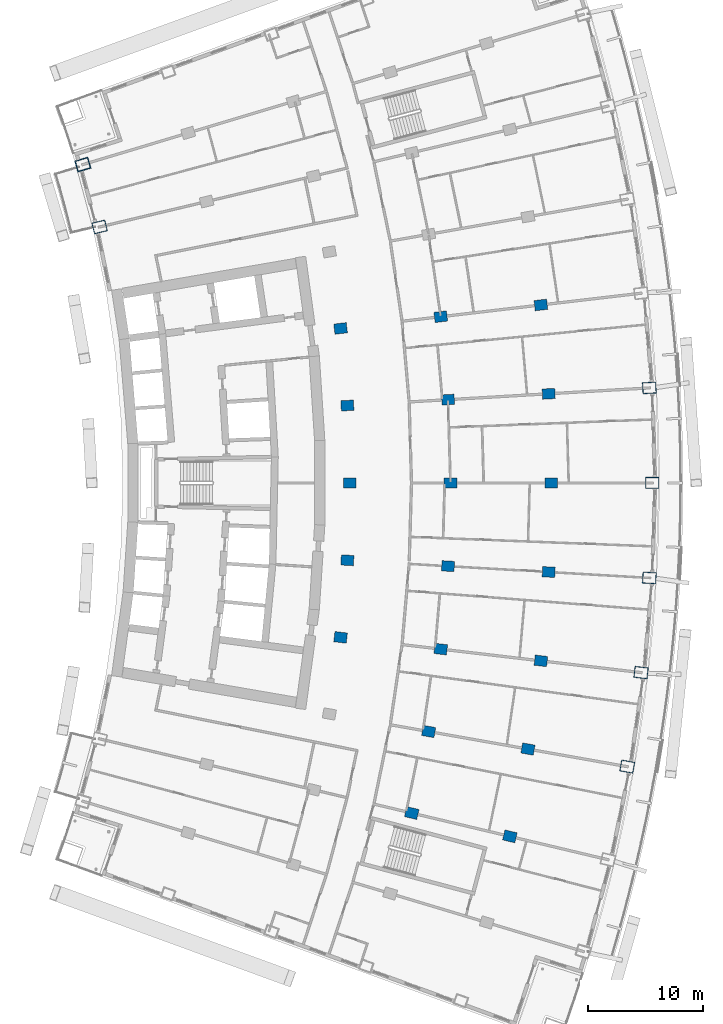
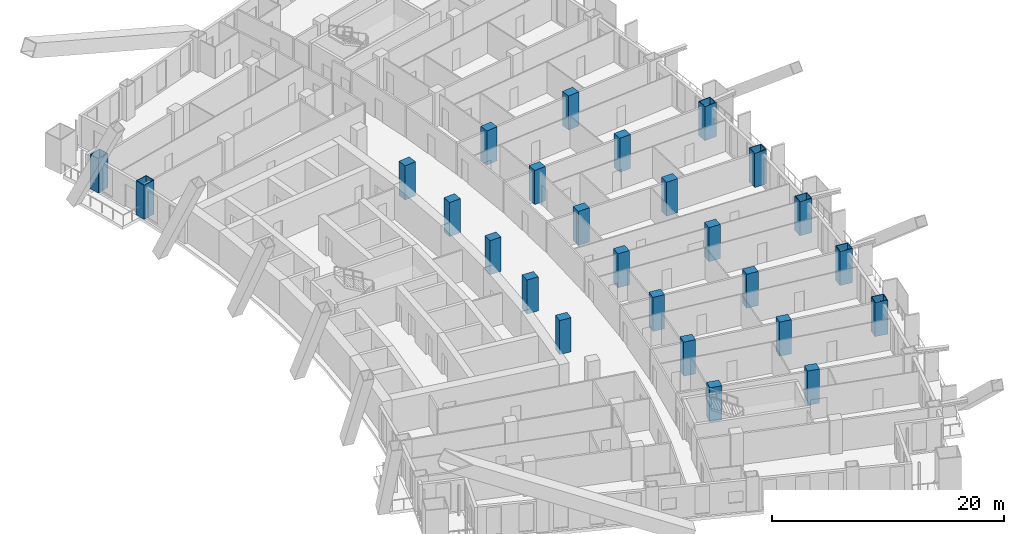
# One storey, part 6 of 25: 26 columns.
"""IFC4 building model written with IfcOpenShell, lengths in metres."""

from ifc_helpers import new_model, si_unit, direction, frame, origin, origin_2d, place, context, subcontext, project, spatial, rectangle, hollow_rectangle, extrude, material, material_profile, profile_set, type_object, element, save


model = new_model("IFC4")

# Units and contexts
model_context = context("Model", 3, precision=1e-05, world=origin(), true_north=direction((0.0, 1.0)))
body_context = subcontext(model_context, "Body", "Model", "MODEL_VIEW")
ifc_project = project(units=[si_unit("LENGTHUNIT", "METRE"), si_unit("AREAUNIT", "SQUARE_METRE"), si_unit("VOLUMEUNIT", "CUBIC_METRE"), si_unit("PLANEANGLEUNIT", "RADIAN"), si_unit("MASSUNIT", "GRAM", prefix="KILO")], contexts=[model_context])

# Site, building, storey
site_placement = place(None, origin())
site = spatial("IfcSite", under=ifc_project, at=site_placement, CompositionType="ELEMENT")
building_placement = place(site_placement, origin())
building = spatial("IfcBuilding", under=site, at=building_placement, Name="Alderwake Tower", CompositionType="ELEMENT")
storey_placement = place(building_placement, frame((0.0, 0.0, 64.39990234375)))
storey = spatial("IfcBuildingStorey", under=building, at=storey_placement, Name="L15", CompositionType="ELEMENT", Elevation=64.39990234375)

# Columns
ifc_material_1 = material(Name="Concrete C70/85", Category="concrete")
ifc_material_profile_1 = material_profile(ifc_material_1, rectangle(XDim=0.89990234375, YDim=1.10009765625, at=origin_2d()), Name="RC 1100X900")
ifc_profile_set_1 = profile_set([ifc_material_profile_1], Name="Concrete C70/85")
column_type_1 = type_object("IfcColumnType", Name="Interior column Z1", PredefinedType="COLUMN", material=ifc_profile_set_1)
for number, where, z_axis, x_axis, name in (
    (1, (41.223388671875, 32.189697265625, 0.0), (0.0, 0.0, 1.0), (0.231221547198, 0.972901123502, 0.0), "Column R03-C3"),
    (2, (49.784912109375, 30.155029296875, 0.0), (0.0, 0.0, 1.0), (0.231221547198, 0.972901123502, 0.0), "Column R03-C4"),
    (3, (42.697021484375, 39.30615234375, 0.0), (0.0, 0.0, 1.0), (0.174108800747, 0.984726421654, 0.0), "Column R04-C3"),
    (4, (51.362548828125, 37.77392578125, 0.0), (0.0, 0.0, 1.0), (0.174108800747, 0.984726421654, 0.0), "Column R04-C4"),
    (5, (35.0126953125, 47.5205078125, 0.0), (0.0, 0.0, 1.0), (0.116402054316, 0.993202175668, 0.0), "Column R05-C2"),
    (6, (43.7529296875, 46.496337890625, 0.0), (0.0, 0.0, 1.0), (0.116402054316, 0.993202175668, 0.0), "Column R05-C3"),
    (7, (52.4931640625, 45.471923828125, 0.0), (0.0, 0.0, 1.0), (0.116402054316, 0.993202175668, 0.0), "Column R05-C4"),
    (8, (35.60302734375, 54.248779296875, 0.0), (0.0, 0.0, 1.0), (0.058301061284, 0.998299046505, 0.0), "Column R06-C2"),
    (9, (44.38818359375, 53.73583984375, 0.0), (0.0, 0.0, 1.0), (0.058299318924, 0.998299148258, 0.0), "Column R06-C3"),
    (10, (53.173095703125, 53.22265625, 0.0), (0.0, 0.0, 1.0), (0.058301061284, 0.998299046505, 0.0), "Column R06-C4"),
    (11, (35.800048828125, 61.0, 0.0), (0.0, 0.0, 1.0), (0.0, 1.0, 0.0), "Column R07-C2"),
    (12, (44.60009765625, 61.0, 0.0), (0.0, 0.0, 1.0), (0.0, 1.0, 0.0), "Column R07-C3"),
    (13, (53.39990234375, 61.0, 0.0), (0.0, 0.0, 1.0), (0.0, 1.0, 0.0), "Column R07-C4"),
    (14, (35.60302734375, 67.751220703125, 0.0), (0.0, 0.0, 1.0), (-0.058301061284, 0.998299046505, 0.0), "Column R08-C2"),
    (15, (44.38818359375, 68.26416015625, 0.0), (0.0, 0.0, 1.0), (-0.058299318924, 0.998299148258, 0.0), "Column R08-C3"),
    (16, (53.173095703125, 68.77734375, 0.0), (0.0, 0.0, 1.0), (-0.058301061284, 0.998299046505, 0.0), "Column R08-C4"),
    (17, (35.0126953125, 74.4794921875, 0.0), (0.0, 0.0, 1.0), (-0.116402054316, 0.993202175668, 0.0), "Column R09-C2"),
    (18, (43.7529296875, 75.503662109375, 0.0), (0.0, 0.0, 1.0), (-0.116402054316, 0.993202175668, 0.0), "Column R09-C3"),
    (19, (52.4931640625, 76.528076171875, 0.0), (0.0, 0.0, 1.0), (-0.116402054316, 0.993202175668, 0.0), "Column R09-C4"),
):
    element("IfcColumn", number, at=place(storey_placement, frame(where, z_axis=z_axis, x_axis=x_axis)), inside=storey, type_object=column_type_1, Name=name, PredefinedType="COLUMN", context=body_context, shape_type="SweptSolid", body=[
        extrude(rectangle(XDim=0.89990234375, YDim=1.10009765625, at=origin_2d()), origin(), (0.0, 0.0, 1.0), 3.60009765625),
    ])
ifc_material_2 = material(Name="Steel ASTM A572 Grade 50 concrete filled C70/85", Category="concrete")
ifc_material_profile_2 = material_profile(ifc_material_2, hollow_rectangle(XDim=1.0, YDim=1.199951171875, WallThickness=0.06005859375, at=origin_2d()), Name="BOX 1200X1000X60")
ifc_profile_set_2 = profile_set([ifc_material_profile_2], Name="Steel ASTM A572 Grade 50 concrete filled C70/85")
column_type_2 = type_object("IfcColumnType", Name="Perimeter column Z1", PredefinedType="COLUMN", material=ifc_profile_set_2)
for number, where, z_axis, x_axis, name in (
    (20, (60.028076171875, 36.24169921875, 0.0), (0.0, 0.0, 1.0), (0.174108800747, 0.984726421654, 0.0), "Column R04-C5"),
    (21, (61.2333984375, 44.447509765625, 0.0), (0.0, 0.0, 1.0), (0.116402054316, 0.993202175668, 0.0), "Column R05-C5"),
    (22, (61.9580078125, 52.709716796875, 0.0), (0.0, 0.0, 1.0), (0.058301061284, 0.998299046505, 0.0), "Column R06-C5"),
    (23, (62.199951171875, 61.0, 0.0), (0.0, 0.0, 1.0), (0.0, 1.0, 0.0), "Column R07-C5"),
    (24, (61.9580078125, 69.290283203125, 0.0), (0.0, 0.0, 1.0), (-0.058301061284, 0.998299046505, 0.0), "Column R08-C5"),
    (25, (13.982177734375, 83.3359375, 0.0), (0.0, 0.0, 1.0), (-0.231221547198, 0.972901123502, 0.0), "Column R11-C0"),
    (26, (12.520263671875, 88.777099609375, 0.0), (0.0, 0.0, 1.0), (-0.287549418125, 0.957765802342, 0.0), "Column R12-C0"),
):
    element("IfcColumn", number, at=place(storey_placement, frame(where, z_axis=z_axis, x_axis=x_axis)), inside=storey, type_object=column_type_2, Name=name, PredefinedType="COLUMN", context=body_context, shape_type="SweptSolid", body=[
        extrude(hollow_rectangle(XDim=1.0, YDim=1.199951171875, WallThickness=0.06005859375, at=origin_2d()), origin(), (0.0, 0.0, 1.0), 3.60009765625),
    ])

save(model, "model.ifc")
